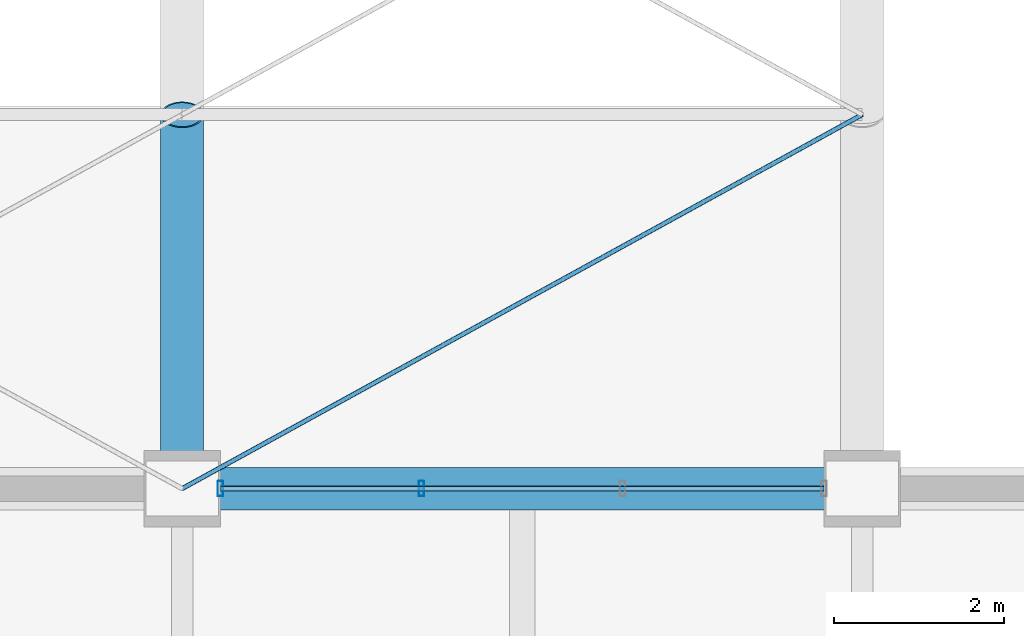
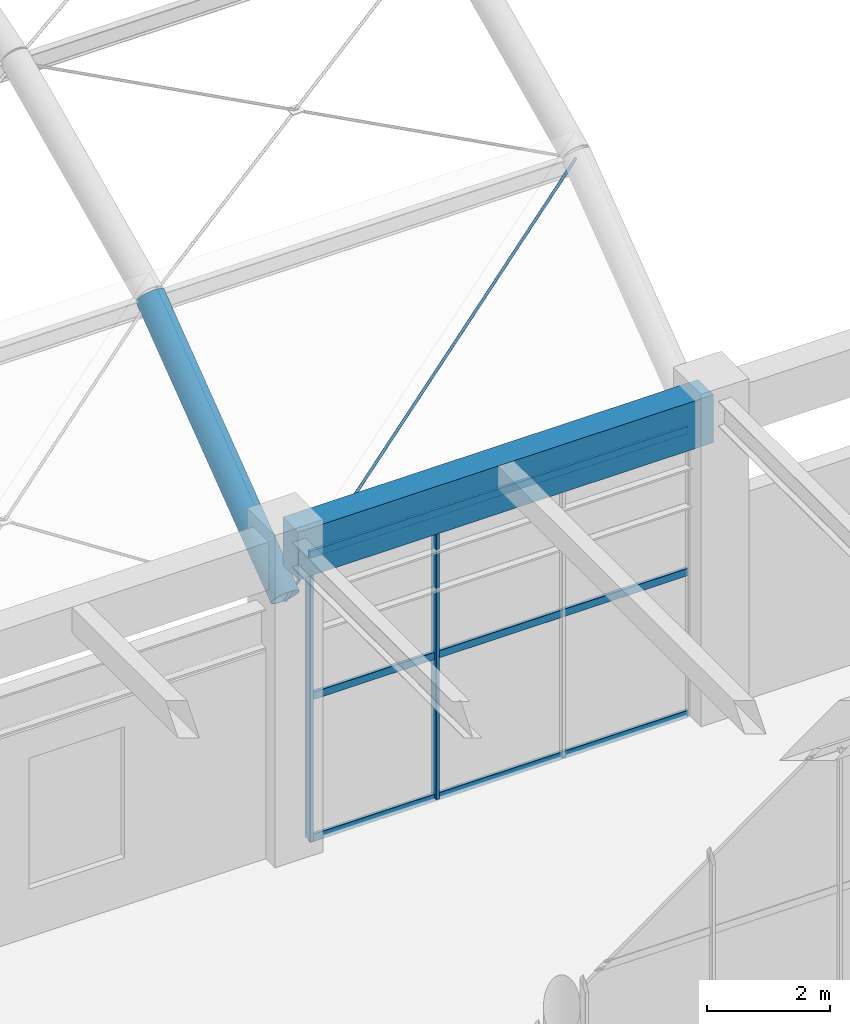
# One storey, part 49 of 163: 6 members, 2 beams, 1 element without a shape of its own.
"""IFC4 building model written with IfcOpenShell, lengths in metres."""

from ifc_helpers import new_model, si_unit, direction, frame, origin, origin_2d, place, context, subcontext, project, spatial, rectangle, hollow_rectangle, circle, hollow_circle, extrude, material, material_profile, profile_set, type_object, element, aggregate, save


model = new_model("IFC4")

# Units and contexts
model_context = context("Model", 3, precision=1e-05, world=origin(), true_north=direction((0.0, 1.0)))
body_context = subcontext(model_context, "Body", "Model", "MODEL_VIEW")
ifc_project = project(units=[si_unit("LENGTHUNIT", "METRE"), si_unit("AREAUNIT", "SQUARE_METRE"), si_unit("VOLUMEUNIT", "CUBIC_METRE"), si_unit("PLANEANGLEUNIT", "RADIAN"), si_unit("MASSUNIT", "GRAM", prefix="KILO")], contexts=[model_context])

# Site, building, storey
site_placement = place(None, origin())
site = spatial("IfcSite", under=ifc_project, at=site_placement, CompositionType="ELEMENT")
building_placement = place(site_placement, origin())
building = spatial("IfcBuilding", under=site, at=building_placement, Name="Varnabhumi Central Station", CompositionType="ELEMENT")
storey_placement = place(building_placement, frame((0.0, 0.0, 9.60009765625)))
storey = spatial("IfcBuildingStorey", under=building, at=storey_placement, Name="L02", CompositionType="ELEMENT", Elevation=9.60009765625)

# Beams
ifc_material_1 = material(Name="Structural steel E350", Category="steel")
ifc_material_profile_1 = material_profile(ifc_material_1, hollow_circle(Radius=0.25390625, WallThickness=0.02001953125, at=origin_2d()), Name="Structural steel E350", Category="steel")
ifc_profile_set_1 = profile_set([ifc_material_profile_1], Name="Structural steel E350")
beam_type_1 = type_object("IfcBeamType", Name="BM-ARCH-CHS508", PredefinedType="BEAM", material=ifc_profile_set_1)
beam_1_placement = place(storey_placement, frame((128.0, 36.0, 4.949951171875), z_axis=(0.0, 0.798178703242, 0.602420748058), x_axis=(-1.0, 0.0, 0.0)))
element("IfcBeam", 1, at=beam_1_placement, inside=storey, type_object=beam_type_1, Name="Departure Concourse Vault Arch Rib 8 Seg 1", PredefinedType="BEAM", context=body_context, shape_type="SweptSolid", body=[
    extrude(hollow_circle(Radius=0.25390625, WallThickness=0.02001953125, at=origin_2d()), origin(), (0.0, 0.0, 1.0), 5.512451171875),
])
ifc_material_2 = material(Name="Concrete M40", Category="concrete")
ifc_material_profile_2 = material_profile(ifc_material_2, rectangle(XDim=0.5, YDim=0.949951171875, at=origin_2d()), Name="Concrete M40", Category="concrete")
ifc_profile_set_2 = profile_set([ifc_material_profile_2], Name="Concrete M40")
beam_type_2 = type_object("IfcBeamType", Name="BM-RC-950x500", PredefinedType="BEAM", material=ifc_profile_set_2)
beam_2_placement = place(storey_placement, frame((128.10009765625, 36.0, 5.875), z_axis=(1.0, 0.0, 0.0), x_axis=(0.0, 1.0, 0.0)))
element("IfcBeam", 2, at=beam_2_placement, inside=storey, type_object=beam_type_2, Name="Beam L02-E:17-18", PredefinedType="BEAM", context=body_context, shape_type="SweptSolid", body=[
    extrude(rectangle(XDim=0.5, YDim=0.949951171875, at=origin_2d()), origin(), (0.0, 0.0, 1.0), 7.7998046875),
])

# Curtain wall, members
ifc_material_3 = material(Name="Anodised aluminium 6063-T6", Category="aluminium")
curtain_wall_type = type_object("IfcCurtainWallType", Name="CW-SPINE-SCREEN-L2", PredefinedType="NOTDEFINED", material=ifc_material_3)
curtain_wall_placement = place(storey_placement, origin())
curtain_wall = element("IfcCurtainWall", 3, at=curtain_wall_placement, inside=storey, type_object=curtain_wall_type, Name="Curtain Wall CW-SS212", PredefinedType="NOTDEFINED")
ifc_material_profile_3 = material_profile(ifc_material_3, hollow_rectangle(XDim=0.06494140625, YDim=0.179931640625, WallThickness=0.00390625, InnerFilletRadius=0.001953125, OuterFilletRadius=0.006103515625, at=origin_2d()), Name="Anodised aluminium 6063-T6", Category="aluminium")
ifc_profile_set_3 = profile_set([ifc_material_profile_3], Name="Anodised aluminium 6063-T6")
member_type_1 = type_object("IfcMemberType", Name="CW-MUL-180", PredefinedType="MULLION", material=ifc_profile_set_3)
member_1_placement = place(storey_placement, frame((128.449951171875, 36.0, 0.0), z_axis=(0.0, 0.0, 1.0), x_axis=(1.0, 0.0, 0.0)))
member_1 = element("IfcMember", 4, at=member_1_placement, type_object=member_type_1, Name="Curtain Wall Mullion CW-SS212-M1", PredefinedType="MULLION", context=body_context, shape_type="SweptSolid", body=[
    extrude(hollow_rectangle(XDim=0.06494140625, YDim=0.179931640625, WallThickness=0.00390625, InnerFilletRadius=0.001953125, OuterFilletRadius=0.006103515625, at=origin_2d()), origin(), (0.0, 0.0, 1.0), 5.639892578125),
])
member_2_placement = place(storey_placement, frame((130.816650390625, 36.0, 0.0), z_axis=(0.0, 0.0, 1.0), x_axis=(1.0, 0.0, 0.0)))
member_2 = element("IfcMember", 5, at=member_2_placement, type_object=member_type_1, Name="Curtain Wall Mullion CW-SS212-M2", PredefinedType="MULLION", context=body_context, shape_type="SweptSolid", body=[
    extrude(hollow_rectangle(XDim=0.06494140625, YDim=0.179931640625, WallThickness=0.00390625, InnerFilletRadius=0.001953125, OuterFilletRadius=0.006103515625, at=origin_2d()), origin(), (0.0, 0.0, 1.0), 5.639892578125),
])
ifc_material_profile_4 = material_profile(ifc_material_3, hollow_rectangle(XDim=0.06005859375, YDim=0.14990234375, WallThickness=0.00390625, InnerFilletRadius=0.001953125, OuterFilletRadius=0.006103515625, at=origin_2d()), Name="Anodised aluminium 6063-T6", Category="aluminium")
ifc_profile_set_4 = profile_set([ifc_material_profile_4], Name="Anodised aluminium 6063-T6")
member_type_2 = type_object("IfcMemberType", Name="CW-TR-150", PredefinedType="USERDEFINED", material=ifc_profile_set_4)
member_3_placement = place(storey_placement, frame((128.449951171875, 36.0, 0.0), z_axis=(1.0, 0.0, 0.0), x_axis=(0.0, 1.0, 0.0)))
member_3 = element("IfcMember", 6, at=member_3_placement, type_object=member_type_2, Name="Curtain Wall Transom CW-SS212-T1", ObjectType="TRANSOM", PredefinedType="USERDEFINED", context=body_context, shape_type="SweptSolid", body=[
    extrude(hollow_rectangle(XDim=0.06005859375, YDim=0.14990234375, WallThickness=0.00390625, InnerFilletRadius=0.001953125, OuterFilletRadius=0.006103515625, at=origin_2d()), origin(), (0.0, 0.0, 1.0), 7.10009765625),
])
member_4_placement = place(storey_placement, frame((128.449951171875, 36.0, 2.81982421875), z_axis=(1.0, 0.0, 0.0), x_axis=(0.0, 1.0, 0.0)))
member_4 = element("IfcMember", 7, at=member_4_placement, type_object=member_type_2, Name="Curtain Wall Transom CW-SS212-T2", ObjectType="TRANSOM", PredefinedType="USERDEFINED", context=body_context, shape_type="SweptSolid", body=[
    extrude(hollow_rectangle(XDim=0.06005859375, YDim=0.14990234375, WallThickness=0.00390625, InnerFilletRadius=0.001953125, OuterFilletRadius=0.006103515625, at=origin_2d()), origin(), (0.0, 0.0, 1.0), 7.10009765625),
])
member_5_placement = place(storey_placement, frame((128.449951171875, 36.0, 5.639892578125), z_axis=(1.0, 0.0, 0.0), x_axis=(0.0, 1.0, 0.0)))
member_5 = element("IfcMember", 8, at=member_5_placement, type_object=member_type_2, Name="Curtain Wall Transom CW-SS212-T3", ObjectType="TRANSOM", PredefinedType="USERDEFINED", context=body_context, shape_type="SweptSolid", body=[
    extrude(hollow_rectangle(XDim=0.06005859375, YDim=0.14990234375, WallThickness=0.00390625, InnerFilletRadius=0.001953125, OuterFilletRadius=0.006103515625, at=origin_2d()), origin(), (0.0, 0.0, 1.0), 7.10009765625),
])
aggregate(curtain_wall, [member_1, member_2, member_3, member_4, member_5])

# Member
ifc_material_4 = material(Name="Spiral-strand steel S1570", Category="steel")
ifc_material_profile_5 = material_profile(ifc_material_4, circle(Radius=0.027099609375, at=origin_2d()), Name="Spiral-strand steel S1570", Category="steel")
ifc_profile_set_5 = profile_set([ifc_material_profile_5], Name="Spiral-strand steel S1570")
member_type_3 = type_object("IfcMemberType", Name="MBR-CABLE-D54", PredefinedType="USERDEFINED", material=ifc_profile_set_5)
member_6_placement = place(storey_placement, frame((128.0, 36.0, 4.869873046875), z_axis=(0.823437214719, 0.452880416372, 0.341833997553), x_axis=(-0.481910537812, 0.876220425204, 0.0)))
element("IfcMember", 9, at=member_6_placement, inside=storey, type_object=member_type_3, Name="Departure Concourse Vault Cable-Net Tie B8-P1A", ObjectType="TENSION CABLE", PredefinedType="USERDEFINED", context=body_context, shape_type="SweptSolid", body=[
    extrude(circle(Radius=0.027099609375, at=origin_2d()), origin(), (0.0, 0.0, 1.0), 9.71533203125),
])

save(model, "model.ifc")
